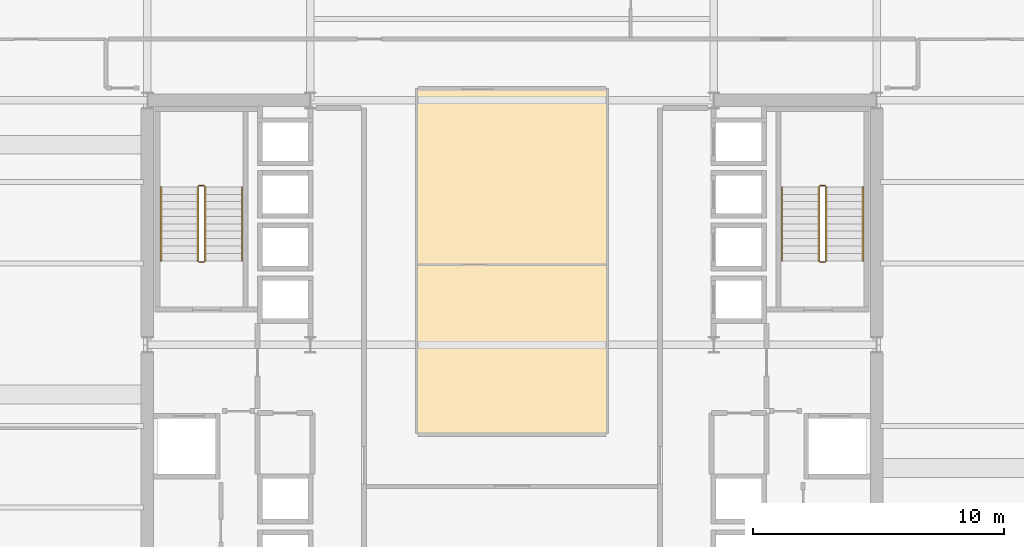
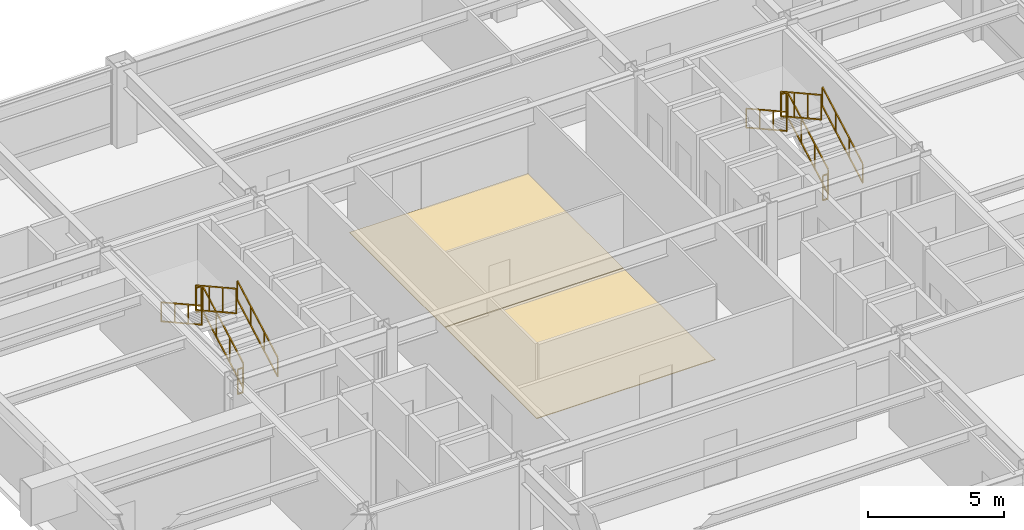
# One storey, part 28 of 28: 12 railings, 2 coverings.
"""IFC4 building model written with IfcOpenShell, lengths in metres."""

from ifc_helpers import new_model, si_unit, direction, frame, origin, origin_2d, place, context, subcontext, project, spatial, polyline, rectangle, outline, extrude, material, layer, layer_set, type_object, element, save


model = new_model("IFC4")

# Units and contexts
model_context = context("Model", 3, precision=1e-05, world=origin(), true_north=direction((0.0, 1.0)))
body_context = subcontext(model_context, "Body", "Model", "MODEL_VIEW")
ifc_project = project(units=[si_unit("LENGTHUNIT", "METRE"), si_unit("AREAUNIT", "SQUARE_METRE"), si_unit("VOLUMEUNIT", "CUBIC_METRE"), si_unit("PLANEANGLEUNIT", "RADIAN"), si_unit("MASSUNIT", "GRAM", prefix="KILO")], contexts=[model_context])

# Site, building, storey
site_placement = place(None, origin())
site = spatial("IfcSite", under=ifc_project, at=site_placement, CompositionType="ELEMENT")
building_placement = place(site_placement, origin())
building = spatial("IfcBuilding", under=site, at=building_placement, Name="Brelmoor Portico Tower", CompositionType="ELEMENT")
storey_placement = place(building_placement, frame((0.0, 0.0, 91.800048828125)))
storey = spatial("IfcBuildingStorey", under=building, at=storey_placement, Name="L23", CompositionType="ELEMENT", Elevation=91.800048828125)

# Coverings
ifc_material_1 = material(Name="Polished Pale-Aggregate Cementitious Terrazzo", Category="stone")
ifc_layer_1 = layer(ifc_material_1, 0.030029296875)
ifc_layer_set_1 = layer_set([ifc_layer_1], Name="Polished Pale-Aggregate Cementitious Terrazzo")
covering_type_1 = type_object("IfcCoveringType", Name="CV-FLR-TERRAZZO-30", PredefinedType="FLOORING", material=ifc_layer_set_1)
covering_1_placement = place(storey_placement, origin())
element("IfcCovering", 1, at=covering_1_placement, inside=storey, type_object=covering_type_1, Name="L23 Architectural Floor Finish 02", PredefinedType="FLOORING", context=body_context, shape_type="SweptSolid", body=[
    extrude(outline(polyline([(-3.780029296875, -3.5400390625), (-3.780029296875, 3.179931640625), (3.780029296875, 3.179931640625), (3.780029296875, -3.5400390625), (-3.780029296875, -3.5400390625)])), origin(), (0.0, 0.0, 1.0), 0.030029296875),
])
ifc_material_2 = material(Name="Engineered Quarter-Sawn Oak Parquet Flooring", Category="timber")
ifc_layer_2 = layer(ifc_material_2, 0.02197265625)
ifc_layer_set_2 = layer_set([ifc_layer_2], Name="Engineered Quarter-Sawn Oak Parquet Flooring")
covering_type_2 = type_object("IfcCoveringType", Name="CV-FLR-TIMBER-22", PredefinedType="FLOORING", material=ifc_layer_set_2)
covering_2_placement = place(storey_placement, origin())
element("IfcCovering", 2, at=covering_2_placement, inside=storey, type_object=covering_type_2, Name="L23 Architectural Floor Finish 01", PredefinedType="FLOORING", context=body_context, shape_type="SweptSolid", body=[
    extrude(outline(polyline([(-3.780029296875, 3.219970703125), (-3.780029296875, 10.2099609375), (3.780029296875, 10.2099609375), (3.780029296875, 3.219970703125), (-3.780029296875, 3.219970703125)])), origin(), (0.0, 0.0, 1.0), 0.02197265625),
])

# Railings
ifc_material_3 = material(Name="Painted Tubular Steel Q235B", Category="steel")
railing_type_1 = type_object("IfcRailingType", Name="RL-STAIR-GUARD", PredefinedType="GUARDRAIL", material=ifc_material_3)
railing_1_placement = place(storey_placement, frame((-12.239990234375, 3.35009765625, 0.16357421875)))
element("IfcRailing", 3, at=railing_1_placement, inside=storey, type_object=railing_type_1, Name="L23 ST-W stair guard 1", PredefinedType="GUARDRAIL", context=body_context, shape_type="SweptSolid", body=[
    extrude(rectangle(XDim=0.048095703125, YDim=0.048095703125, at=origin_2d()), frame((0.0, 0.0, 1.1259765625), z_axis=(0.0, 0.874457516365, 0.485102104791), x_axis=(-1.0, 0.0, 0.0)), (0.0, 0.0, 1.0), 3.37353515625),
    extrude(rectangle(XDim=0.048095703125, YDim=0.048095703125, at=origin_2d()), frame((0.0, 0.0, 0.02392578125), z_axis=(0.0, 0.874457516365, 0.485102104791), x_axis=(-1.0, 0.0, 0.0)), (0.0, 0.0, 1.0), 3.37353515625),
    extrude(rectangle(XDim=0.0419921875, YDim=0.0419921875, at=origin_2d()), origin(), (0.0, 0.0, 1.0), 1.101806640625),
    extrude(rectangle(XDim=0.0419921875, YDim=0.0419921875, at=origin_2d()), frame((0.0, 0.9833984375, 0.54541015625)), (0.0, 0.0, 1.0), 1.101806640625),
    extrude(rectangle(XDim=0.0419921875, YDim=0.0419921875, at=origin_2d()), frame((0.0, 1.966552734375, 1.091064453125)), (0.0, 0.0, 1.0), 1.101806640625),
    extrude(rectangle(XDim=0.0419921875, YDim=0.0419921875, at=origin_2d()), frame((0.0, 2.949951171875, 1.636474609375)), (0.0, 0.0, 1.0), 1.101806640625),
])
railing_2_placement = place(storey_placement, frame((-12.2900390625, 6.35009765625, 1.800048828125)))
element("IfcRailing", 4, at=railing_2_placement, inside=storey, type_object=railing_type_1, Name="L23 ST-W stair guard 2", PredefinedType="GUARDRAIL", context=body_context, shape_type="SweptSolid", body=[
    extrude(rectangle(XDim=0.048095703125, YDim=0.048095703125, at=origin_2d()), frame((0.0, 0.0, 1.1259765625), z_axis=(-1.0, 0.0, 0.0), x_axis=(0.0, -1.0, 0.0)), (0.0, 0.0, 1.0), 0.199951171875),
    extrude(rectangle(XDim=0.048095703125, YDim=0.048095703125, at=origin_2d()), frame((0.0, 0.0, 0.02392578125), z_axis=(-1.0, 0.0, 0.0), x_axis=(0.0, -1.0, 0.0)), (0.0, 0.0, 1.0), 0.199951171875),
    extrude(rectangle(XDim=0.0419921875, YDim=0.0419921875, at=origin_2d()), origin(), (0.0, 0.0, 1.0), 1.101806640625),
    extrude(rectangle(XDim=0.0419921875, YDim=0.0419921875, at=origin_2d()), frame((-0.199951171875, 0.0, 0.0)), (0.0, 0.0, 1.0), 1.101806640625),
])
railing_3_placement = place(storey_placement, frame((-12.5400390625, 6.300048828125, 1.963623046875)))
element("IfcRailing", 5, at=railing_3_placement, inside=storey, type_object=railing_type_1, Name="L23 ST-W stair guard 3", PredefinedType="GUARDRAIL", context=body_context, shape_type="SweptSolid", body=[
    extrude(rectangle(XDim=0.048095703125, YDim=0.048095703125, at=origin_2d()), frame((0.0, 0.0, 1.1259765625), z_axis=(0.0, -0.87448821551, 0.485046761595), x_axis=(1.0, 0.0, 0.0)), (0.0, 0.0, 1.0), 3.373291015625),
    extrude(rectangle(XDim=0.048095703125, YDim=0.048095703125, at=origin_2d()), frame((0.0, 0.0, 0.02392578125), z_axis=(0.0, -0.87448821551, 0.485046761595), x_axis=(1.0, 0.0, 0.0)), (0.0, 0.0, 1.0), 3.373291015625),
    extrude(rectangle(XDim=0.0419921875, YDim=0.0419921875, at=origin_2d()), origin(), (0.0, 0.0, 1.0), 1.101806640625),
    extrude(rectangle(XDim=0.0419921875, YDim=0.0419921875, at=origin_2d()), frame((0.0, -0.9833984375, 0.54541015625)), (0.0, 0.0, 1.0), 1.101806640625),
    extrude(rectangle(XDim=0.0419921875, YDim=0.0419921875, at=origin_2d()), frame((0.0, -1.966552734375, 1.0908203125)), (0.0, 0.0, 1.0), 1.101806640625),
    extrude(rectangle(XDim=0.0419921875, YDim=0.0419921875, at=origin_2d()), frame((0.0, -2.949951171875, 1.63623046875)), (0.0, 0.0, 1.0), 1.101806640625),
])
railing_4_placement = place(storey_placement, frame((-12.2900390625, 3.300048828125, 0.0)))
element("IfcRailing", 6, at=railing_4_placement, inside=storey, type_object=railing_type_1, Name="L23 ST-W stair guard 4", PredefinedType="GUARDRAIL", context=body_context, shape_type="SweptSolid", body=[
    extrude(rectangle(XDim=0.048095703125, YDim=0.048095703125, at=origin_2d()), frame((0.0, 0.0, 1.1259765625), z_axis=(-1.0, 0.0, 0.0), x_axis=(0.0, -1.0, 0.0)), (0.0, 0.0, 1.0), 0.199951171875),
    extrude(rectangle(XDim=0.048095703125, YDim=0.048095703125, at=origin_2d()), frame((0.0, 0.0, 0.02392578125), z_axis=(-1.0, 0.0, 0.0), x_axis=(0.0, -1.0, 0.0)), (0.0, 0.0, 1.0), 0.199951171875),
    extrude(rectangle(XDim=0.0419921875, YDim=0.0419921875, at=origin_2d()), origin(), (0.0, 0.0, 1.0), 1.101806640625),
    extrude(rectangle(XDim=0.0419921875, YDim=0.0419921875, at=origin_2d()), frame((-0.199951171875, 0.0, 0.0)), (0.0, 0.0, 1.0), 1.101806640625),
])
railing_5_placement = place(storey_placement, frame((12.5400390625, 3.35009765625, 0.16357421875)))
element("IfcRailing", 7, at=railing_5_placement, inside=storey, type_object=railing_type_1, Name="L23 ST-E stair guard 1", PredefinedType="GUARDRAIL", context=body_context, shape_type="SweptSolid", body=[
    extrude(rectangle(XDim=0.048095703125, YDim=0.048095703125, at=origin_2d()), frame((0.0, 0.0, 1.1259765625), z_axis=(0.0, 0.874457516365, 0.485102104791), x_axis=(-1.0, 0.0, 0.0)), (0.0, 0.0, 1.0), 3.37353515625),
    extrude(rectangle(XDim=0.048095703125, YDim=0.048095703125, at=origin_2d()), frame((0.0, 0.0, 0.02392578125), z_axis=(0.0, 0.874457516365, 0.485102104791), x_axis=(-1.0, 0.0, 0.0)), (0.0, 0.0, 1.0), 3.37353515625),
    extrude(rectangle(XDim=0.0419921875, YDim=0.0419921875, at=origin_2d()), origin(), (0.0, 0.0, 1.0), 1.101806640625),
    extrude(rectangle(XDim=0.0419921875, YDim=0.0419921875, at=origin_2d()), frame((0.0, 0.9833984375, 0.54541015625)), (0.0, 0.0, 1.0), 1.101806640625),
    extrude(rectangle(XDim=0.0419921875, YDim=0.0419921875, at=origin_2d()), frame((0.0, 1.966552734375, 1.091064453125)), (0.0, 0.0, 1.0), 1.101806640625),
    extrude(rectangle(XDim=0.0419921875, YDim=0.0419921875, at=origin_2d()), frame((0.0, 2.949951171875, 1.636474609375)), (0.0, 0.0, 1.0), 1.101806640625),
])
railing_6_placement = place(storey_placement, frame((12.489990234375, 6.35009765625, 1.800048828125)))
element("IfcRailing", 8, at=railing_6_placement, inside=storey, type_object=railing_type_1, Name="L23 ST-E stair guard 2", PredefinedType="GUARDRAIL", context=body_context, shape_type="SweptSolid", body=[
    extrude(rectangle(XDim=0.048095703125, YDim=0.048095703125, at=origin_2d()), frame((0.0, 0.0, 1.1259765625), z_axis=(-1.0, 0.0, 0.0), x_axis=(0.0, -1.0, 0.0)), (0.0, 0.0, 1.0), 0.199951171875),
    extrude(rectangle(XDim=0.048095703125, YDim=0.048095703125, at=origin_2d()), frame((0.0, 0.0, 0.02392578125), z_axis=(-1.0, 0.0, 0.0), x_axis=(0.0, -1.0, 0.0)), (0.0, 0.0, 1.0), 0.199951171875),
    extrude(rectangle(XDim=0.0419921875, YDim=0.0419921875, at=origin_2d()), origin(), (0.0, 0.0, 1.0), 1.101806640625),
    extrude(rectangle(XDim=0.0419921875, YDim=0.0419921875, at=origin_2d()), frame((-0.199951171875, 0.0, 0.0)), (0.0, 0.0, 1.0), 1.101806640625),
])
railing_7_placement = place(storey_placement, frame((12.239990234375, 6.300048828125, 1.963623046875)))
element("IfcRailing", 9, at=railing_7_placement, inside=storey, type_object=railing_type_1, Name="L23 ST-E stair guard 3", PredefinedType="GUARDRAIL", context=body_context, shape_type="SweptSolid", body=[
    extrude(rectangle(XDim=0.048095703125, YDim=0.048095703125, at=origin_2d()), frame((0.0, 0.0, 1.1259765625), z_axis=(0.0, -0.87448821551, 0.485046761595), x_axis=(1.0, 0.0, 0.0)), (0.0, 0.0, 1.0), 3.373291015625),
    extrude(rectangle(XDim=0.048095703125, YDim=0.048095703125, at=origin_2d()), frame((0.0, 0.0, 0.02392578125), z_axis=(0.0, -0.87448821551, 0.485046761595), x_axis=(1.0, 0.0, 0.0)), (0.0, 0.0, 1.0), 3.373291015625),
    extrude(rectangle(XDim=0.0419921875, YDim=0.0419921875, at=origin_2d()), origin(), (0.0, 0.0, 1.0), 1.101806640625),
    extrude(rectangle(XDim=0.0419921875, YDim=0.0419921875, at=origin_2d()), frame((0.0, -0.9833984375, 0.54541015625)), (0.0, 0.0, 1.0), 1.101806640625),
    extrude(rectangle(XDim=0.0419921875, YDim=0.0419921875, at=origin_2d()), frame((0.0, -1.966552734375, 1.0908203125)), (0.0, 0.0, 1.0), 1.101806640625),
    extrude(rectangle(XDim=0.0419921875, YDim=0.0419921875, at=origin_2d()), frame((0.0, -2.949951171875, 1.63623046875)), (0.0, 0.0, 1.0), 1.101806640625),
])
railing_8_placement = place(storey_placement, frame((12.489990234375, 3.300048828125, 0.0)))
element("IfcRailing", 10, at=railing_8_placement, inside=storey, type_object=railing_type_1, Name="L23 ST-E stair guard 4", PredefinedType="GUARDRAIL", context=body_context, shape_type="SweptSolid", body=[
    extrude(rectangle(XDim=0.048095703125, YDim=0.048095703125, at=origin_2d()), frame((0.0, 0.0, 1.1259765625), z_axis=(-1.0, 0.0, 0.0), x_axis=(0.0, -1.0, 0.0)), (0.0, 0.0, 1.0), 0.199951171875),
    extrude(rectangle(XDim=0.048095703125, YDim=0.048095703125, at=origin_2d()), frame((0.0, 0.0, 0.02392578125), z_axis=(-1.0, 0.0, 0.0), x_axis=(0.0, -1.0, 0.0)), (0.0, 0.0, 1.0), 0.199951171875),
    extrude(rectangle(XDim=0.0419921875, YDim=0.0419921875, at=origin_2d()), origin(), (0.0, 0.0, 1.0), 1.101806640625),
    extrude(rectangle(XDim=0.0419921875, YDim=0.0419921875, at=origin_2d()), frame((-0.199951171875, 0.0, 0.0)), (0.0, 0.0, 1.0), 1.101806640625),
])
ifc_material_4 = material(Name="Brushed Stainless Steel 304", Category="steel")
railing_type_2 = type_object("IfcRailingType", Name="RL-STAIR-HANDRAIL", PredefinedType="HANDRAIL", material=ifc_material_4)
railing_9_placement = place(storey_placement, frame((-10.780029296875, 3.35009765625, 0.16357421875)))
element("IfcRailing", 11, at=railing_9_placement, inside=storey, type_object=railing_type_2, Name="L23 ST-W stair handrail 1", PredefinedType="HANDRAIL", context=body_context, shape_type="SweptSolid", body=[
    extrude(rectangle(XDim=0.048095703125, YDim=0.048095703125, at=origin_2d()), frame((0.0, 0.0, 0.8759765625), z_axis=(0.0, 0.874457516365, 0.485102104791), x_axis=(-1.0, 0.0, 0.0)), (0.0, 0.0, 1.0), 3.37353515625),
    extrude(rectangle(XDim=0.048095703125, YDim=0.048095703125, at=origin_2d()), frame((0.0, 0.0, 0.02392578125), z_axis=(0.0, 0.874457516365, 0.485102104791), x_axis=(-1.0, 0.0, 0.0)), (0.0, 0.0, 1.0), 3.37353515625),
    extrude(rectangle(XDim=0.0419921875, YDim=0.0419921875, at=origin_2d()), origin(), (0.0, 0.0, 1.0), 0.851806640625),
    extrude(rectangle(XDim=0.0419921875, YDim=0.0419921875, at=origin_2d()), frame((0.0, 0.9833984375, 0.54541015625)), (0.0, 0.0, 1.0), 0.851806640625),
    extrude(rectangle(XDim=0.0419921875, YDim=0.0419921875, at=origin_2d()), frame((0.0, 1.966552734375, 1.091064453125)), (0.0, 0.0, 1.0), 0.851806640625),
    extrude(rectangle(XDim=0.0419921875, YDim=0.0419921875, at=origin_2d()), frame((0.0, 2.949951171875, 1.636474609375)), (0.0, 0.0, 1.0), 0.851806640625),
])
railing_10_placement = place(storey_placement, frame((-14.0, 6.300048828125, 1.963623046875)))
element("IfcRailing", 12, at=railing_10_placement, inside=storey, type_object=railing_type_2, Name="L23 ST-W stair handrail 2", PredefinedType="HANDRAIL", context=body_context, shape_type="SweptSolid", body=[
    extrude(rectangle(XDim=0.048095703125, YDim=0.048095703125, at=origin_2d()), frame((0.0, 0.0, 0.8759765625), z_axis=(0.0, -0.87448821551, 0.485046761595), x_axis=(1.0, 0.0, 0.0)), (0.0, 0.0, 1.0), 3.373291015625),
    extrude(rectangle(XDim=0.048095703125, YDim=0.048095703125, at=origin_2d()), frame((0.0, 0.0, 0.02392578125), z_axis=(0.0, -0.87448821551, 0.485046761595), x_axis=(1.0, 0.0, 0.0)), (0.0, 0.0, 1.0), 3.373291015625),
    extrude(rectangle(XDim=0.0419921875, YDim=0.0419921875, at=origin_2d()), origin(), (0.0, 0.0, 1.0), 0.851806640625),
    extrude(rectangle(XDim=0.0419921875, YDim=0.0419921875, at=origin_2d()), frame((0.0, -0.9833984375, 0.54541015625)), (0.0, 0.0, 1.0), 0.851806640625),
    extrude(rectangle(XDim=0.0419921875, YDim=0.0419921875, at=origin_2d()), frame((0.0, -1.966552734375, 1.0908203125)), (0.0, 0.0, 1.0), 0.851806640625),
    extrude(rectangle(XDim=0.0419921875, YDim=0.0419921875, at=origin_2d()), frame((0.0, -2.949951171875, 1.63623046875)), (0.0, 0.0, 1.0), 0.851806640625),
])
railing_11_placement = place(storey_placement, frame((14.0, 3.35009765625, 0.16357421875)))
element("IfcRailing", 13, at=railing_11_placement, inside=storey, type_object=railing_type_2, Name="L23 ST-E stair handrail 1", PredefinedType="HANDRAIL", context=body_context, shape_type="SweptSolid", body=[
    extrude(rectangle(XDim=0.048095703125, YDim=0.048095703125, at=origin_2d()), frame((0.0, 0.0, 0.8759765625), z_axis=(0.0, 0.874457516365, 0.485102104791), x_axis=(-1.0, 0.0, 0.0)), (0.0, 0.0, 1.0), 3.37353515625),
    extrude(rectangle(XDim=0.048095703125, YDim=0.048095703125, at=origin_2d()), frame((0.0, 0.0, 0.02392578125), z_axis=(0.0, 0.874457516365, 0.485102104791), x_axis=(-1.0, 0.0, 0.0)), (0.0, 0.0, 1.0), 3.37353515625),
    extrude(rectangle(XDim=0.0419921875, YDim=0.0419921875, at=origin_2d()), origin(), (0.0, 0.0, 1.0), 0.851806640625),
    extrude(rectangle(XDim=0.0419921875, YDim=0.0419921875, at=origin_2d()), frame((0.0, 0.9833984375, 0.54541015625)), (0.0, 0.0, 1.0), 0.851806640625),
    extrude(rectangle(XDim=0.0419921875, YDim=0.0419921875, at=origin_2d()), frame((0.0, 1.966552734375, 1.091064453125)), (0.0, 0.0, 1.0), 0.851806640625),
    extrude(rectangle(XDim=0.0419921875, YDim=0.0419921875, at=origin_2d()), frame((0.0, 2.949951171875, 1.636474609375)), (0.0, 0.0, 1.0), 0.851806640625),
])
railing_12_placement = place(storey_placement, frame((10.780029296875, 6.300048828125, 1.963623046875)))
element("IfcRailing", 14, at=railing_12_placement, inside=storey, type_object=railing_type_2, Name="L23 ST-E stair handrail 2", PredefinedType="HANDRAIL", context=body_context, shape_type="SweptSolid", body=[
    extrude(rectangle(XDim=0.048095703125, YDim=0.048095703125, at=origin_2d()), frame((0.0, 0.0, 0.8759765625), z_axis=(0.0, -0.87448821551, 0.485046761595), x_axis=(1.0, 0.0, 0.0)), (0.0, 0.0, 1.0), 3.373291015625),
    extrude(rectangle(XDim=0.048095703125, YDim=0.048095703125, at=origin_2d()), frame((0.0, 0.0, 0.02392578125), z_axis=(0.0, -0.87448821551, 0.485046761595), x_axis=(1.0, 0.0, 0.0)), (0.0, 0.0, 1.0), 3.373291015625),
    extrude(rectangle(XDim=0.0419921875, YDim=0.0419921875, at=origin_2d()), origin(), (0.0, 0.0, 1.0), 0.851806640625),
    extrude(rectangle(XDim=0.0419921875, YDim=0.0419921875, at=origin_2d()), frame((0.0, -0.9833984375, 0.54541015625)), (0.0, 0.0, 1.0), 0.851806640625),
    extrude(rectangle(XDim=0.0419921875, YDim=0.0419921875, at=origin_2d()), frame((0.0, -1.966552734375, 1.0908203125)), (0.0, 0.0, 1.0), 0.851806640625),
    extrude(rectangle(XDim=0.0419921875, YDim=0.0419921875, at=origin_2d()), frame((0.0, -2.949951171875, 1.63623046875)), (0.0, 0.0, 1.0), 0.851806640625),
])

save(model, "model.ifc")
